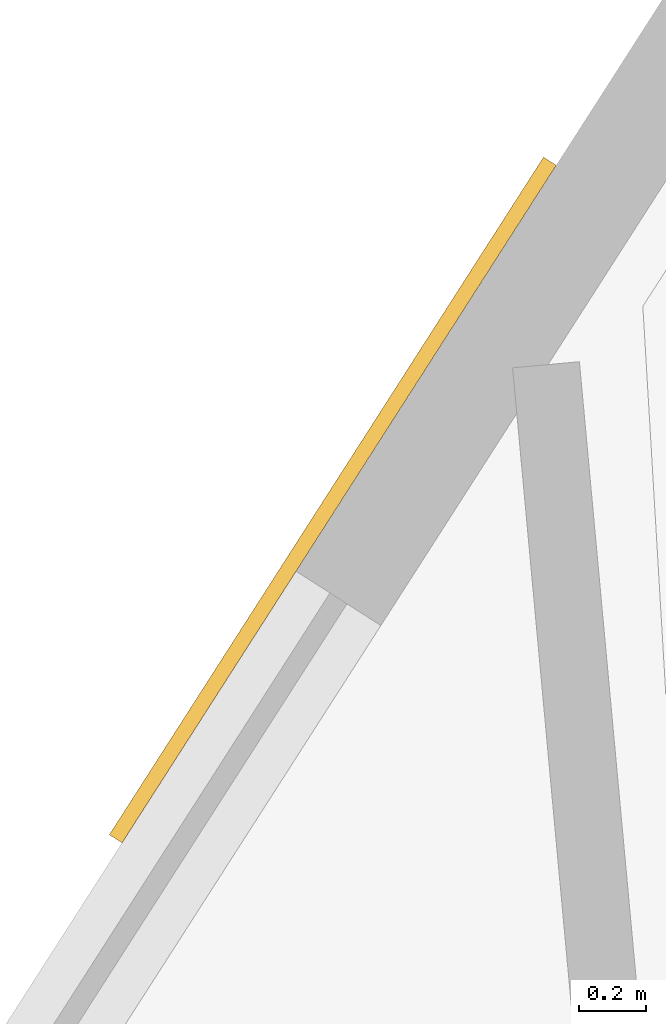
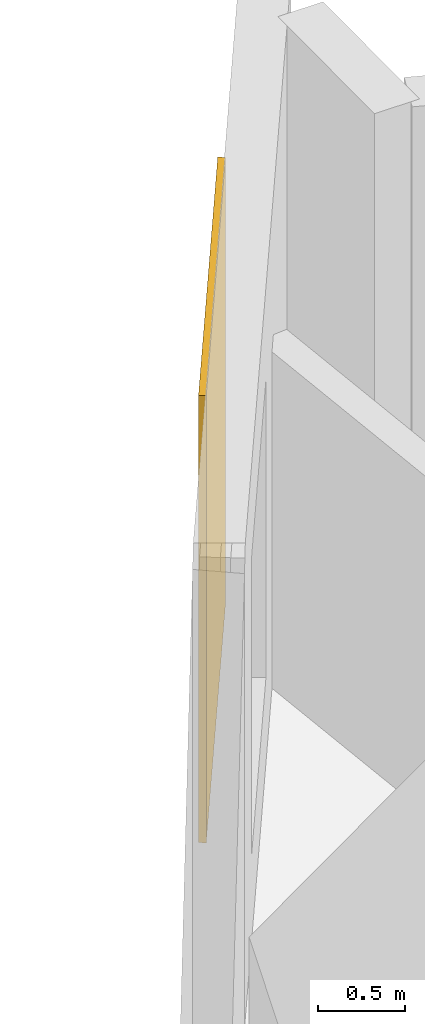
# One storey, part 14 of 14: 1 covering.
"""IFC4 building model written with IfcOpenShell, lengths in metres."""

import ifcopenshell
import ifcopenshell.guid

model = None  # the IFC model being written
_history = None  # IfcOwnerHistory: only IFC2X3 demands one
_inside = {}  # id of a spatial element -> (the spatial element, [elements in it])
_under = {}  # id of a project, library or spatial element -> (it, [spatial elements below it])
_declared = {}  # id of a project -> (the project, [libraries it declares])
_typed = {}  # id of a type object -> (the type object, [elements of that type])
_made_of = {}  # id of a material, layer set ... -> (it, [elements and type objects made of it])


def new_model(schema):
    """Start an empty IFC model of exactly this schema.

    Asked for "IFC4X3", IfcOpenShell would pick the latest addendum, in which some entities
    have other attributes; the version numbers below select the first issue.
    IFC2X3 requires an IfcOwnerHistory on every rooted entity: one is made here for all.
    """
    global model, _history
    if schema == "IFC4X3":
        model = ifcopenshell.file(schema_version=(4, 3, 0, 0))
    else:
        model = ifcopenshell.file(schema=schema)
    _inside.clear()
    _under.clear()
    _declared.clear()
    _typed.clear()
    _made_of.clear()
    _history = None
    if model.schema == "IFC2X3":
        org = make("IfcOrganization", Name="unknown")
        user = make(
            "IfcPersonAndOrganization",
            ThePerson=make("IfcPerson", FamilyName="unknown"),
            TheOrganization=org,
        )
        app = make(
            "IfcApplication",
            ApplicationDeveloper=org,
            Version="unknown",
            ApplicationFullName="unknown",
            ApplicationIdentifier="unknown",
        )
        _history = make(
            "IfcOwnerHistory",
            OwningUser=user,
            OwningApplication=app,
            ChangeAction="ADDED",
            CreationDate=0,
        )
    return model


def make(cls, **values):
    """One entity of the class cls with the attributes given. An attribute that is None is left unset."""
    return model.create_entity(
        cls, **{name: value for name, value in values.items() if value is not None}
    )


def rooted(cls, **values):
    """An entity with a GlobalId (a new one), such as an element, a storey or a relation."""
    return make(cls, GlobalId=ifcopenshell.guid.new(), OwnerHistory=_history, **values)


def si_unit(unit_type, name, prefix=None):
    """IfcSIUnit, for example si_unit("LENGTHUNIT", "METRE", prefix="MILLI")."""
    return make("IfcSIUnit", UnitType=unit_type, Prefix=prefix, Name=name)


def assignment(units):
    """IfcUnitAssignment: the units of a project."""
    return None if units is None else make("IfcUnitAssignment", Units=units)


def point(xyz):
    """IfcCartesianPoint."""
    return None if xyz is None else make("IfcCartesianPoint", Coordinates=xyz)


def direction(xyz):
    """IfcDirection."""
    return None if xyz is None else make("IfcDirection", DirectionRatios=xyz)


def frame(location, z_axis=None, x_axis=None):
    """IfcAxis2Placement3D, a coordinate frame: its origin and axes. An axis left out is left unset."""
    return make(
        "IfcAxis2Placement3D",
        Location=point(location),
        Axis=direction(z_axis),
        RefDirection=direction(x_axis),
    )


def frame_2d(location, x_axis=None):
    """IfcAxis2Placement2D, a coordinate frame in the plane: its origin and x axis."""
    return make(
        "IfcAxis2Placement2D", Location=point(location), RefDirection=direction(x_axis)
    )


def origin():
    """The frame at (0, 0, 0) with its axes left unset."""
    return frame((0.0, 0.0, 0.0))


def origin_2d():
    """The frame at (0, 0) in the plane with its x axis left unset."""
    return frame_2d((0.0, 0.0))


def place(relative_to, where):
    """IfcLocalPlacement: puts the frame where relative to a parent placement (None: the world)."""
    return make(
        "IfcLocalPlacement", PlacementRelTo=relative_to, RelativePlacement=where
    )


def context(
    kind, dimensions, precision=None, world=None, true_north=None, identifier=None
):
    """IfcGeometricRepresentationContext, for example the 3D "Model" context."""
    return make(
        "IfcGeometricRepresentationContext",
        ContextIdentifier=identifier,
        ContextType=kind,
        CoordinateSpaceDimension=dimensions,
        Precision=precision,
        WorldCoordinateSystem=world,
        TrueNorth=true_north,
    )


def subcontext(parent, identifier, kind, view, scale=None):
    """IfcGeometricRepresentationSubContext, for example "Body" below "Model"."""
    return make(
        "IfcGeometricRepresentationSubContext",
        ContextIdentifier=identifier,
        ContextType=kind,
        ParentContext=parent,
        TargetScale=scale,
        TargetView=view,
    )


def project(units=None, contexts=None):
    """IfcProject with its units and contexts."""
    return rooted(
        "IfcProject",
        Name="project",
        RepresentationContexts=contexts,
        UnitsInContext=assignment(units),
    )


def spatial(cls, under=None, at=None, **own):
    """A site, building, storey or space (cls), placed at a placement, below another one or the project."""
    s = rooted(cls, ObjectPlacement=at, **own)
    if under is not None:
        _under.setdefault(under.id(), (under, []))[1].append(s)
    return s


def profile(cls, at=None, kind="AREA", **sizes):
    """A parametric profile (cls). Its sizes go by their IFC names, for example OverallWidth=200.0."""
    return make(cls, ProfileType=kind, Position=at, **sizes)


def rectangle(**sizes):
    """IfcRectangleProfileDef."""
    return profile("IfcRectangleProfileDef", **sizes)


def extrude(swept, where, along, depth):
    """IfcExtrudedAreaSolid: the profile swept, set in the frame where, extruded along a direction by depth."""
    return make(
        "IfcExtrudedAreaSolid",
        SweptArea=swept,
        Position=where,
        ExtrudedDirection=direction(along),
        Depth=depth,
    )


def shape(context_of_items, identifier, shape_type, items):
    """IfcShapeRepresentation: the items that make up one representation, for example the "Body"."""
    return make(
        "IfcShapeRepresentation",
        ContextOfItems=context_of_items,
        RepresentationIdentifier=identifier,
        RepresentationType=shape_type,
        Items=items,
    )


def material(Name=None, Category=None):
    """IfcMaterial."""
    return make("IfcMaterial", Name=Name, Category=Category)


def layer(
    of_material, thickness, ventilated=None, Name=None, Category=None, Priority=None
):
    """IfcMaterialLayer: one layer of a wall or slab, of a material (None: an air gap)."""
    return make(
        "IfcMaterialLayer",
        Material=of_material,
        LayerThickness=thickness,
        IsVentilated=ventilated,
        Name=Name,
        Category=Category,
        Priority=Priority,
    )


def layer_set(layers, Name=None):
    """IfcMaterialLayerSet."""
    return make("IfcMaterialLayerSet", MaterialLayers=layers, LayerSetName=Name)


def made_of(thing, what):
    """Note that an element or type object is made of a material, layer set ...; save() writes the relation."""
    if what is not None:
        _made_of.setdefault(what.id(), (what, []))[1].append(thing)
    return thing


def type_object(cls, material=None, **own):
    """A type object (cls), such as IfcWallType, which elements share."""
    return made_of(rooted(cls, **own), material)


def element(
    cls,
    number,
    at=None,
    inside=None,
    cuts=None,
    type_object=None,
    material=None,
    context=None,
    identifier="Body",
    shape_type=None,
    held_by="IfcProductDefinitionShape",
    body=None,
    shapes=None,
    **own,
):
    """One element of the class cls, such as IfcWall. Its Tag is "e" and its number.

    at: its placement. inside: the storey or other place that contains it. cuts: it is an
    opening in that element (IfcRelVoidsElement). A single representation is given by context,
    identifier, shape_type and body (its items); several are given by shapes. held_by: the class
    of the entity that holds the representations. save() writes the other relations.
    """
    e = rooted(cls, Tag="e%d" % number, ObjectPlacement=at, **own)
    if body is not None:
        shapes = [shape(context, identifier, shape_type, body)]
    if shapes is not None:
        e.Representation = make(held_by, Representations=shapes)
    if inside is not None:
        _inside.setdefault(inside.id(), (inside, []))[1].append(e)
    if cuts is not None:
        rooted(
            "IfcRelVoidsElement", RelatingBuildingElement=cuts, RelatedOpeningElement=e
        )
    if type_object is not None:
        _typed.setdefault(type_object.id(), (type_object, []))[1].append(e)
    return made_of(e, material)


def aggregate(whole, parts):
    """IfcRelAggregates: a whole, such as a stair, and the parts it consists of."""
    return rooted("IfcRelAggregates", RelatingObject=whole, RelatedObjects=parts)


def save(model, path):
    """Write the relations noted so far, then the file.

    IfcRelAggregates (storeys below a building ...), IfcRelContainedInSpatialStructure (elements
    in a storey), IfcRelDefinesByType, IfcRelAssociatesMaterial and IfcRelDeclares: one each for
    every whole, place, type object, material and project.
    """
    for whole, parts in _under.values():
        aggregate(whole, parts)
    for where, things in _inside.values():
        rooted(
            "IfcRelContainedInSpatialStructure",
            RelatedElements=things,
            RelatingStructure=where,
        )
    for kind, things in _typed.values():
        rooted("IfcRelDefinesByType", RelatedObjects=things, RelatingType=kind)
    for what, things in _made_of.values():
        rooted("IfcRelAssociatesMaterial", RelatedObjects=things, RelatingMaterial=what)
    for by, libraries in _declared.values():
        rooted("IfcRelDeclares", RelatingContext=by, RelatedDefinitions=libraries)
    model.write(path)


model = new_model("IFC4")

# Units and contexts
model_context = context("Model", 3, precision=1e-05, world=origin(), true_north=direction((0.0, 1.0)))
body_context = subcontext(model_context, "Body", "Model", "MODEL_VIEW")
ifc_project = project(units=[si_unit("LENGTHUNIT", "METRE"), si_unit("AREAUNIT", "SQUARE_METRE"), si_unit("VOLUMEUNIT", "CUBIC_METRE"), si_unit("PLANEANGLEUNIT", "RADIAN"), si_unit("MASSUNIT", "GRAM", prefix="KILO")], contexts=[model_context])

# Site, building, storey
site_placement = place(None, origin())
site = spatial("IfcSite", under=ifc_project, at=site_placement, CompositionType="ELEMENT")
building_placement = place(site_placement, origin())
building = spatial("IfcBuilding", under=site, at=building_placement, Name="Almagre Mirador Tower", CompositionType="ELEMENT")
storey_placement = place(building_placement, frame((0.0, 0.0, 67.800048828125)))
storey = spatial("IfcBuildingStorey", under=building, at=storey_placement, Name="L16", CompositionType="ELEMENT", Elevation=67.800048828125)

# Covering
ifc_material = material(Name="Almagre terracotta architectural cladding", Category="masonry")
ifc_layer = layer(ifc_material, 0.044921875)
ifc_layer_set = layer_set([ifc_layer], Name="Almagre terracotta architectural cladding")
covering_type = type_object("IfcCoveringType", Name="COV-CLAD-ALMAGRE", PredefinedType="CLADDING", material=ifc_layer_set)
covering_placement = place(storey_placement, frame((31.7783203125, 42.66259765625, 0.10009765625), z_axis=(0.0, 0.0, 1.0), x_axis=(0.539520453445, 0.841972493799, 0.0)))
element("IfcCovering", 1, at=covering_placement, inside=storey, type_object=covering_type, Name="L16 almagre terracotta pier cladding", PredefinedType="CLADDING", context=body_context, shape_type="SweptSolid", body=[
    extrude(rectangle(XDim=2.39990234375, YDim=0.044921875, at=origin_2d()), origin(), (0.0, 0.0, 1.0), 3.14990234375),
])

save(model, "model.ifc")
